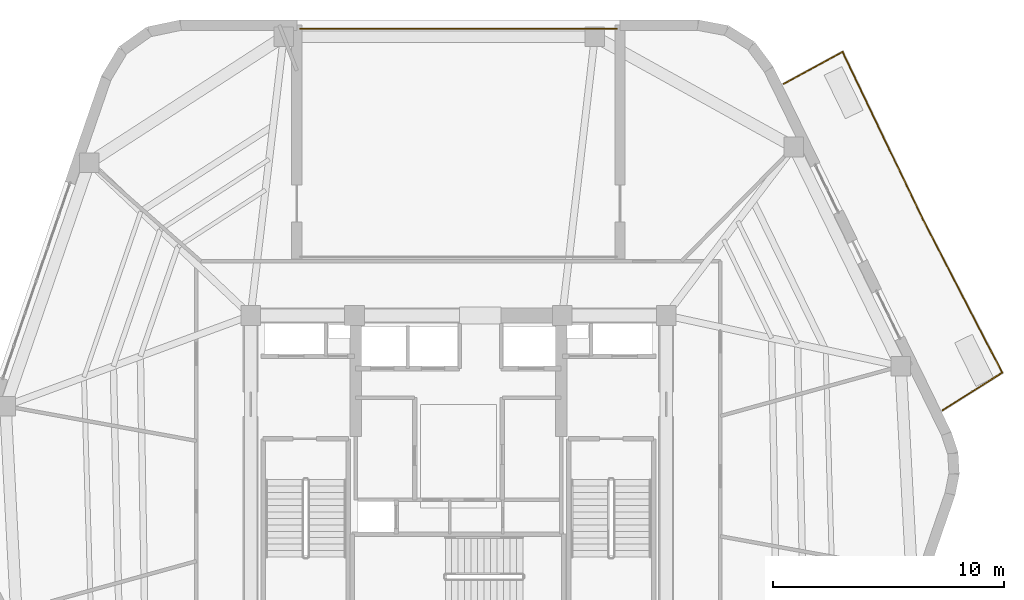
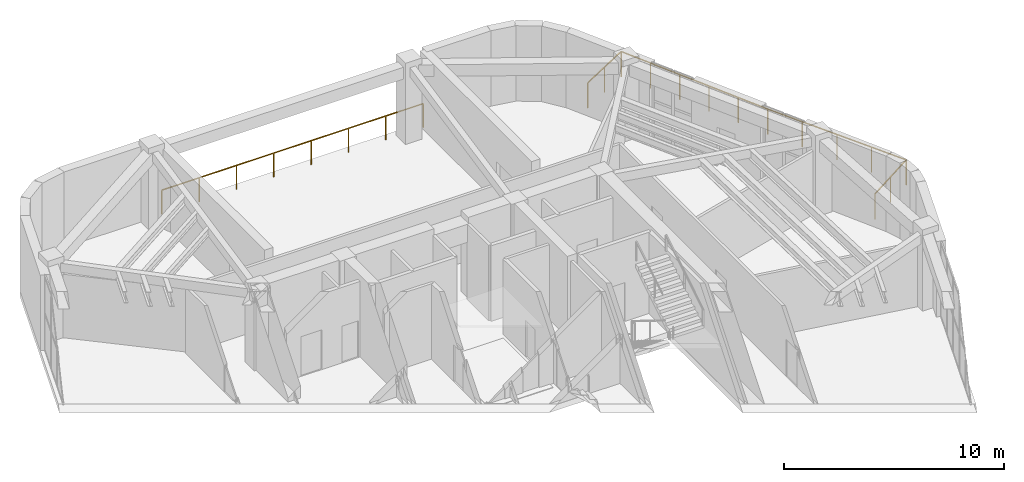
# One storey, part 15 of 15: 2 railings.
"""IFC4 building model written with IfcOpenShell, lengths in metres."""

from ifc_helpers import new_model, si_unit, direction, frame, origin, origin_2d, place, context, subcontext, project, spatial, rectangle, extrude, material, layer, layer_set, type_object, element, save


model = new_model("IFC4")

# Units and contexts
model_context = context("Model", 3, precision=1e-05, world=origin(), true_north=direction((0.0, 1.0)))
body_context = subcontext(model_context, "Body", "Model", "MODEL_VIEW")
ifc_project = project(units=[si_unit("LENGTHUNIT", "METRE"), si_unit("AREAUNIT", "SQUARE_METRE"), si_unit("VOLUMEUNIT", "CUBIC_METRE"), si_unit("PLANEANGLEUNIT", "RADIAN"), si_unit("MASSUNIT", "GRAM", prefix="KILO")], contexts=[model_context])

# Site, building, storey
site_placement = place(None, origin())
site = spatial("IfcSite", under=ifc_project, at=site_placement, CompositionType="ELEMENT")
building_placement = place(site_placement, origin())
building = spatial("IfcBuilding", under=site, at=building_placement, Name="Kilnhurst Terrace Hotel", CompositionType="ELEMENT")
storey_placement = place(building_placement, frame((0.0, 0.0, 288.60009765625)))
storey = spatial("IfcBuildingStorey", under=building, at=storey_placement, Name="L72", CompositionType="ELEMENT", Elevation=288.60009765625)

# Railings
ifc_material = material(Name="Laminated SentryGlas and Stainless Steel AISI 316L Balustrade", Category="steel")
ifc_layer_1 = layer(ifc_material, 0.070068359375, Name="Laminated SentryGlas and Stainless Steel AISI 316L Balustrade")
ifc_layer_set_1 = layer_set([ifc_layer_1], Name="Laminated SentryGlas and Stainless Steel AISI 316L Balustrade")
railing_type_1 = type_object("IfcRailingType", Name="RLG-BAL-1420", PredefinedType="BALUSTRADE", material=ifc_layer_set_1)
railing_1_placement = place(storey_placement, frame((14.089599609375, 17.52880859375, 0.0)))
element("IfcRailing", 1, at=railing_1_placement, inside=storey, type_object=railing_type_1, Name="L72 Exterior Terrace Guardrail BAL-L2A.1", PredefinedType="BALUSTRADE", context=body_context, shape_type="SweptSolid", body=[
    extrude(rectangle(XDim=0.048095703125, YDim=0.048095703125, at=origin_2d()), frame((0.0, 0.0, 1.39599609375), z_axis=(0.878504936271, 0.477733269667, 0.0), x_axis=(-0.477733269667, 0.878504936271, 0.0)), (0.0, 0.0, 1.0), 2.90576171875),
    extrude(rectangle(XDim=0.048095703125, YDim=0.048095703125, at=origin_2d()), frame((2.552734375, 1.38818359375, 1.39599609375), z_axis=(0.432219770894, -0.901768301532, 0.0), x_axis=(0.901768301532, 0.432219770894, 0.0)), (0.0, 0.0, 1.0), 8.0576171875),
    extrude(rectangle(XDim=0.048095703125, YDim=0.048095703125, at=origin_2d()), frame((6.035400390625, -5.8779296875, 1.39599609375), z_axis=(0.496138938357, -0.868243142124, 0.0), x_axis=(0.868243142124, 0.496138938357, 0.0)), (0.0, 0.0, 1.0), 0.001953125),
    extrude(rectangle(XDim=0.048095703125, YDim=0.048095703125, at=origin_2d()), frame((6.036376953125, -5.879638671875, 1.39599609375), z_axis=(0.459705000347, -0.888071682161, 0.0), x_axis=(0.888071682161, 0.459705000347, 0.0)), (0.0, 0.0, 1.0), 7.46337890625),
    extrude(rectangle(XDim=0.048095703125, YDim=0.048095703125, at=origin_2d()), frame((9.46728515625, -12.507568359375, 1.39599609375), z_axis=(-0.845686755454, -0.533679596434, 0.0), x_axis=(0.533679596434, -0.845686755454, 0.0)), (0.0, 0.0, 1.0), 3.048583984375),
    extrude(rectangle(XDim=0.0419921875, YDim=0.0419921875, at=origin_2d()), origin(), (0.0, 0.0, 1.0), 1.371826171875),
    extrude(rectangle(XDim=0.0419921875, YDim=0.0419921875, at=origin_2d()), frame((1.2763671875, 0.694091796875, 0.0)), (0.0, 0.0, 1.0), 1.371826171875),
    extrude(rectangle(XDim=0.0419921875, YDim=0.0419921875, at=origin_2d()), frame((2.552734375, 1.38818359375, 0.0)), (0.0, 0.0, 1.0), 1.371826171875),
    extrude(rectangle(XDim=0.0419921875, YDim=0.0419921875, at=origin_2d()), frame((3.249267578125, -0.06494140625, 0.0)), (0.0, 0.0, 1.0), 1.371826171875),
    extrude(rectangle(XDim=0.0419921875, YDim=0.0419921875, at=origin_2d()), frame((3.94580078125, -1.518310546875, 0.0)), (0.0, 0.0, 1.0), 1.371826171875),
    extrude(rectangle(XDim=0.0419921875, YDim=0.0419921875, at=origin_2d()), frame((4.642333984375, -2.971435546875, 0.0)), (0.0, 0.0, 1.0), 1.371826171875),
    extrude(rectangle(XDim=0.0419921875, YDim=0.0419921875, at=origin_2d()), frame((5.3388671875, -4.4248046875, 0.0)), (0.0, 0.0, 1.0), 1.371826171875),
    extrude(rectangle(XDim=0.0419921875, YDim=0.0419921875, at=origin_2d()), frame((6.035400390625, -5.8779296875, 0.0)), (0.0, 0.0, 1.0), 1.371826171875),
    extrude(rectangle(XDim=0.0419921875, YDim=0.0419921875, at=origin_2d()), frame((6.036376953125, -5.879638671875, 0.0)), (0.0, 0.0, 1.0), 1.371826171875),
    extrude(rectangle(XDim=0.0419921875, YDim=0.0419921875, at=origin_2d()), frame((6.89404296875, -7.53662109375, 0.0)), (0.0, 0.0, 1.0), 1.371826171875),
    extrude(rectangle(XDim=0.0419921875, YDim=0.0419921875, at=origin_2d()), frame((7.751953125, -9.193603515625, 0.0)), (0.0, 0.0, 1.0), 1.371826171875),
    extrude(rectangle(XDim=0.0419921875, YDim=0.0419921875, at=origin_2d()), frame((8.609619140625, -10.8505859375, 0.0)), (0.0, 0.0, 1.0), 1.371826171875),
    extrude(rectangle(XDim=0.0419921875, YDim=0.0419921875, at=origin_2d()), frame((9.46728515625, -12.507568359375, 0.0)), (0.0, 0.0, 1.0), 1.371826171875),
    extrude(rectangle(XDim=0.0419921875, YDim=0.0419921875, at=origin_2d()), frame((8.17822265625, -13.321044921875, 0.0)), (0.0, 0.0, 1.0), 1.371826171875),
    extrude(rectangle(XDim=0.0419921875, YDim=0.0419921875, at=origin_2d()), frame((6.88916015625, -14.134521484375, 0.0)), (0.0, 0.0, 1.0), 1.371826171875),
])
ifc_layer_2 = layer(ifc_material, 0.080078125, Name="Laminated SentryGlas and Stainless Steel AISI 316L Balustrade")
ifc_layer_set_2 = layer_set([ifc_layer_2], Name="Laminated SentryGlas and Stainless Steel AISI 316L Balustrade")
railing_type_2 = type_object("IfcRailingType", Name="RLG-OBS-1350", PredefinedType="BALUSTRADE", material=ifc_layer_set_2)
railing_2_placement = place(storey_placement, frame((6.85009765625, 19.925048828125, 0.0)))
element("IfcRailing", 2, at=railing_2_placement, inside=storey, type_object=railing_type_2, Name="L72 Open Wind Portal North Lookout Guardrail", PredefinedType="BALUSTRADE", context=body_context, shape_type="SweptSolid", body=[
    extrude(rectangle(XDim=0.048095703125, YDim=0.048095703125, at=origin_2d()), frame((0.0, 0.0, 1.326171875), z_axis=(-1.0, 0.0, 0.0), x_axis=(0.0, -1.0, 0.0)), (0.0, 0.0, 1.0), 13.7001953125),
    extrude(rectangle(XDim=0.0419921875, YDim=0.0419921875, at=origin_2d()), origin(), (0.0, 0.0, 1.0), 1.302001953125),
    extrude(rectangle(XDim=0.0419921875, YDim=0.0419921875, at=origin_2d()), frame((-1.957275390625, 0.0, 0.0)), (0.0, 0.0, 1.0), 1.302001953125),
    extrude(rectangle(XDim=0.0419921875, YDim=0.0419921875, at=origin_2d()), frame((-3.914306640625, 0.0, 0.0)), (0.0, 0.0, 1.0), 1.302001953125),
    extrude(rectangle(XDim=0.0419921875, YDim=0.0419921875, at=origin_2d()), frame((-5.87158203125, 0.0, 0.0)), (0.0, 0.0, 1.0), 1.302001953125),
    extrude(rectangle(XDim=0.0419921875, YDim=0.0419921875, at=origin_2d()), frame((-7.82861328125, 0.0, 0.0)), (0.0, 0.0, 1.0), 1.302001953125),
    extrude(rectangle(XDim=0.0419921875, YDim=0.0419921875, at=origin_2d()), frame((-9.785888671875, 0.0, 0.0)), (0.0, 0.0, 1.0), 1.302001953125),
    extrude(rectangle(XDim=0.0419921875, YDim=0.0419921875, at=origin_2d()), frame((-11.742919921875, 0.0, 0.0)), (0.0, 0.0, 1.0), 1.302001953125),
    extrude(rectangle(XDim=0.0419921875, YDim=0.0419921875, at=origin_2d()), frame((-13.7001953125, 0.0, 0.0)), (0.0, 0.0, 1.0), 1.302001953125),
])

save(model, "model.ifc")
